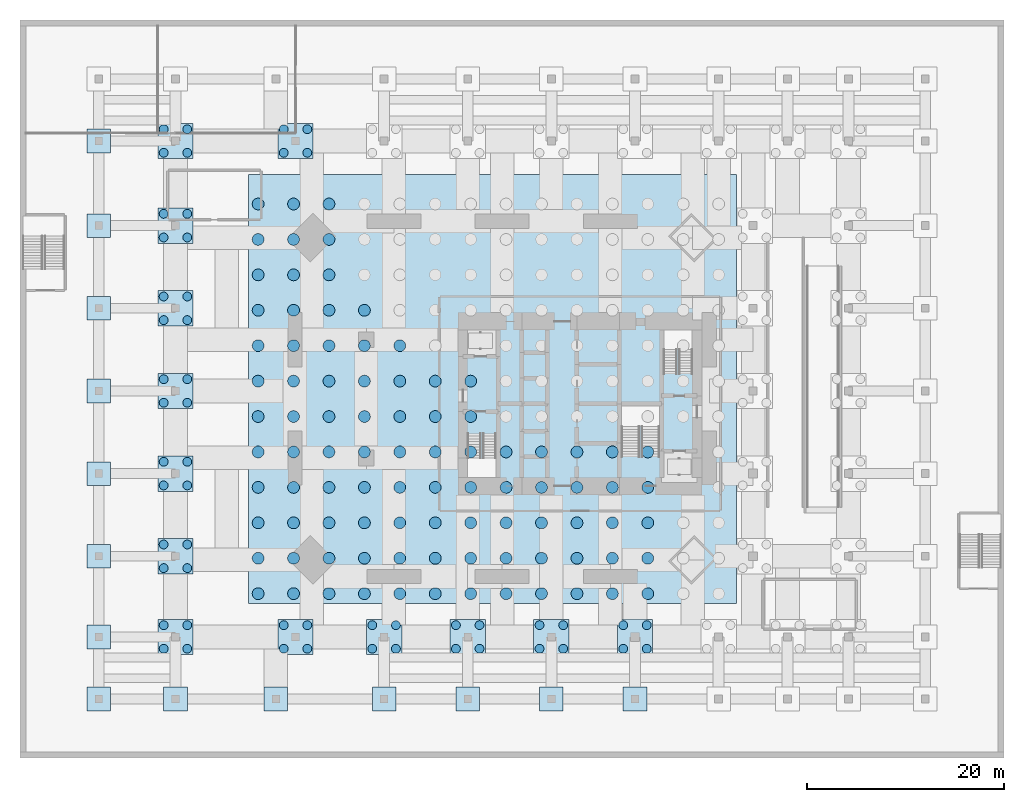
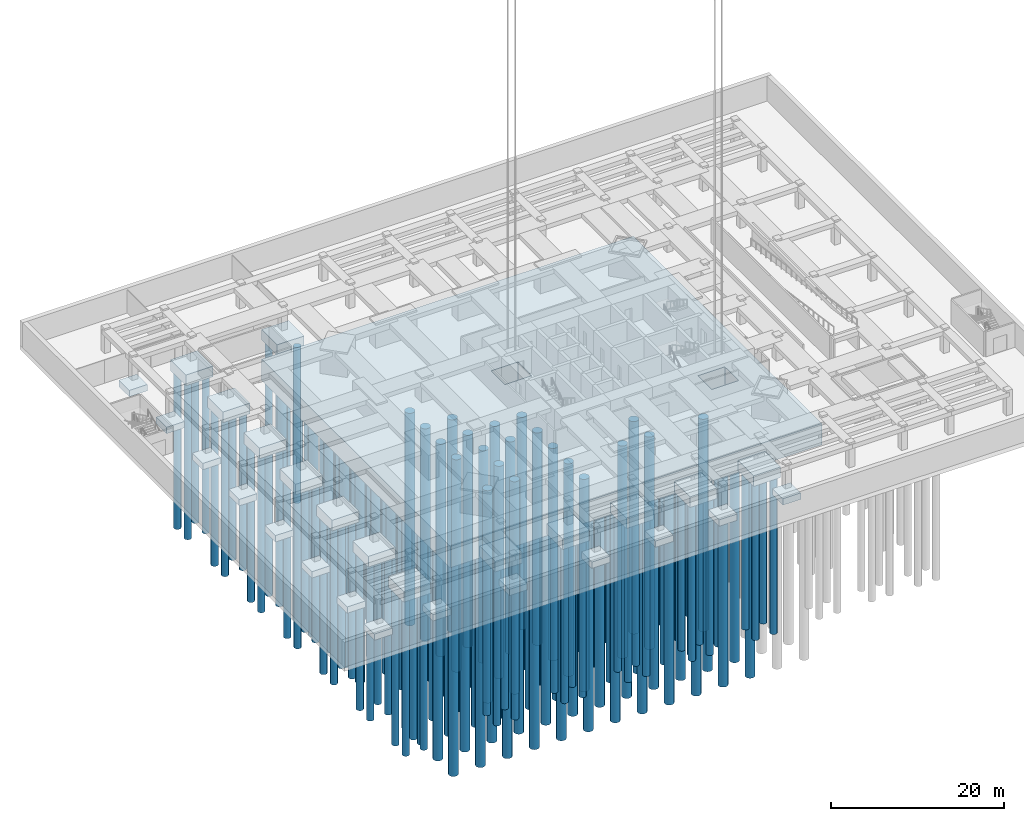
# One storey, part 1 of 15: 144 piles, 28 footings.
"""IFC4 building model written with IfcOpenShell, lengths in metres."""

from ifc_helpers import new_model, si_unit, direction, frame, origin, origin_2d, place, context, subcontext, project, spatial, polyline, circle, outline, extrude, material, layer, layer_set, material_profile, profile_set, type_object, element, save


model = new_model("IFC4")

# Units and contexts
model_context = context("Model", 3, precision=1e-05, world=origin(), true_north=direction((0.0, 1.0)))
body_context = subcontext(model_context, "Body", "Model", "MODEL_VIEW")
ifc_project = project(units=[si_unit("LENGTHUNIT", "METRE"), si_unit("AREAUNIT", "SQUARE_METRE"), si_unit("VOLUMEUNIT", "CUBIC_METRE"), si_unit("PLANEANGLEUNIT", "RADIAN"), si_unit("MASSUNIT", "GRAM", prefix="KILO")], contexts=[model_context])

# Site, building, storey
site_placement = place(None, origin())
site = spatial("IfcSite", under=ifc_project, at=site_placement, CompositionType="ELEMENT")
building_placement = place(site_placement, origin())
building = spatial("IfcBuilding", under=site, at=building_placement, Name="Jalousie Tower", CompositionType="ELEMENT")
storey_placement = place(building_placement, frame((0.0, 0.0, -7.5)))
storey = spatial("IfcBuildingStorey", under=building, at=storey_placement, Name="B2", CompositionType="ELEMENT", Elevation=-7.5)

# Piles
ifc_material_1 = material(Name="Concrete f'c 40 MPa", Category="concrete")
ifc_material_profile_1 = material_profile(ifc_material_1, circle(Radius=0.60009765625, at=origin_2d()), Name="BORED PILE D1200")
ifc_profile_set_1 = profile_set([ifc_material_profile_1], Name="Concrete f'c 40 MPa")
pile_type_1 = type_object("IfcPileType", Name="BORED PILE 1200", PredefinedType="BORED", material=ifc_profile_set_1)
for number, where, z_axis, x_axis, name in (
    (1, (-0.800048828125, -0.800048828125, -3.60009765625), (0.0, 0.0, -1.0), (1.0, 0.0, 0.0), "Raft pile R01-01"),
    (2, (2.800048828125, -0.800048828125, -3.60009765625), (0.0, 0.0, -1.0), (1.0, 0.0, 0.0), "Raft pile R01-02"),
    (3, (6.39990234375, -0.800048828125, -3.60009765625), (0.0, 0.0, -1.0), (1.0, 0.0, 0.0), "Raft pile R01-03"),
    (4, (10.0, -0.800048828125, -3.60009765625), (0.0, 0.0, -1.0), (1.0, 0.0, 0.0), "Raft pile R01-04"),
    (5, (13.60009765625, -0.800048828125, -3.60009765625), (0.0, 0.0, -1.0), (1.0, 0.0, 0.0), "Raft pile R01-05"),
    (6, (17.199951171875, -0.800048828125, -3.60009765625), (0.0, 0.0, -1.0), (1.0, 0.0, 0.0), "Raft pile R01-06"),
    (7, (20.800048828125, -0.800048828125, -3.60009765625), (0.0, 0.0, -1.0), (1.0, 0.0, 0.0), "Raft pile R01-07"),
    (8, (24.39990234375, -0.800048828125, -3.60009765625), (0.0, 0.0, -1.0), (1.0, 0.0, 0.0), "Raft pile R01-08"),
    (9, (28.0, -0.800048828125, -3.60009765625), (0.0, 0.0, -1.0), (1.0, 0.0, 0.0), "Raft pile R01-09"),
    (10, (31.60009765625, -0.800048828125, -3.60009765625), (0.0, 0.0, -1.0), (1.0, 0.0, 0.0), "Raft pile R01-10"),
    (11, (35.199951171875, -0.800048828125, -3.60009765625), (0.0, 0.0, -1.0), (1.0, 0.0, 0.0), "Raft pile R01-11"),
    (12, (38.800048828125, -0.800048828125, -3.60009765625), (0.0, 0.0, -1.0), (1.0, 0.0, 0.0), "Raft pile R01-12"),
    (13, (-0.800048828125, 2.800048828125, -3.60009765625), (0.0, 0.0, -1.0), (1.0, 0.0, 0.0), "Raft pile R02-01"),
    (14, (2.800048828125, 2.800048828125, -3.60009765625), (0.0, 0.0, -1.0), (1.0, 0.0, 0.0), "Raft pile R02-02"),
    (15, (6.39990234375, 2.800048828125, -3.60009765625), (0.0, 0.0, -1.0), (1.0, 0.0, 0.0), "Raft pile R02-03"),
    (16, (10.0, 2.800048828125, -3.60009765625), (0.0, 0.0, -1.0), (1.0, 0.0, 0.0), "Raft pile R02-04"),
    (17, (13.60009765625, 2.800048828125, -3.60009765625), (0.0, 0.0, -1.0), (1.0, 0.0, 0.0), "Raft pile R02-05"),
    (18, (17.199951171875, 2.800048828125, -3.60009765625), (0.0, 0.0, -1.0), (1.0, 0.0, 0.0), "Raft pile R02-06"),
    (19, (20.800048828125, 2.800048828125, -3.60009765625), (0.0, 0.0, -1.0), (1.0, 0.0, 0.0), "Raft pile R02-07"),
    (20, (24.39990234375, 2.800048828125, -3.60009765625), (0.0, 0.0, -1.0), (1.0, 0.0, 0.0), "Raft pile R02-08"),
    (21, (28.0, 2.800048828125, -3.60009765625), (0.0, 0.0, -1.0), (1.0, 0.0, 0.0), "Raft pile R02-09"),
    (22, (31.60009765625, 2.800048828125, -3.60009765625), (0.0, 0.0, -1.0), (1.0, 0.0, 0.0), "Raft pile R02-10"),
    (23, (35.199951171875, 2.800048828125, -3.60009765625), (0.0, 0.0, -1.0), (1.0, 0.0, 0.0), "Raft pile R02-11"),
    (24, (38.800048828125, 2.800048828125, -3.60009765625), (0.0, 0.0, -1.0), (1.0, 0.0, 0.0), "Raft pile R02-12"),
    (25, (-0.800048828125, 6.39990234375, -3.60009765625), (0.0, 0.0, -1.0), (1.0, 0.0, 0.0), "Raft pile R03-01"),
    (26, (2.800048828125, 6.39990234375, -3.60009765625), (0.0, 0.0, -1.0), (1.0, 0.0, 0.0), "Raft pile R03-02"),
    (27, (6.39990234375, 6.39990234375, -3.60009765625), (0.0, 0.0, -1.0), (1.0, 0.0, 0.0), "Raft pile R03-03"),
    (28, (10.0, 6.39990234375, -3.60009765625), (0.0, 0.0, -1.0), (1.0, 0.0, 0.0), "Raft pile R03-04"),
    (29, (13.60009765625, 6.39990234375, -3.60009765625), (0.0, 0.0, -1.0), (1.0, 0.0, 0.0), "Raft pile R03-05"),
    (30, (17.199951171875, 6.39990234375, -3.60009765625), (0.0, 0.0, -1.0), (1.0, 0.0, 0.0), "Raft pile R03-06"),
    (31, (20.800048828125, 6.39990234375, -3.60009765625), (0.0, 0.0, -1.0), (1.0, 0.0, 0.0), "Raft pile R03-07"),
    (32, (24.39990234375, 6.39990234375, -3.60009765625), (0.0, 0.0, -1.0), (1.0, 0.0, 0.0), "Raft pile R03-08"),
    (33, (28.0, 6.39990234375, -3.60009765625), (0.0, 0.0, -1.0), (1.0, 0.0, 0.0), "Raft pile R03-09"),
    (34, (31.60009765625, 6.39990234375, -3.60009765625), (0.0, 0.0, -1.0), (1.0, 0.0, 0.0), "Raft pile R03-10"),
    (35, (35.199951171875, 6.39990234375, -3.60009765625), (0.0, 0.0, -1.0), (1.0, 0.0, 0.0), "Raft pile R03-11"),
    (36, (38.800048828125, 6.39990234375, -3.60009765625), (0.0, 0.0, -1.0), (1.0, 0.0, 0.0), "Raft pile R03-12"),
    (37, (-0.800048828125, 10.0, -3.60009765625), (0.0, 0.0, -1.0), (1.0, 0.0, 0.0), "Raft pile R04-01"),
    (38, (2.800048828125, 10.0, -3.60009765625), (0.0, 0.0, -1.0), (1.0, 0.0, 0.0), "Raft pile R04-02"),
    (39, (6.39990234375, 10.0, -3.60009765625), (0.0, 0.0, -1.0), (1.0, 0.0, 0.0), "Raft pile R04-03"),
    (40, (10.0, 10.0, -3.60009765625), (0.0, 0.0, -1.0), (1.0, 0.0, 0.0), "Raft pile R04-04"),
    (41, (13.60009765625, 10.0, -3.60009765625), (0.0, 0.0, -1.0), (1.0, 0.0, 0.0), "Raft pile R04-05"),
    (42, (17.199951171875, 10.0, -3.60009765625), (0.0, 0.0, -1.0), (1.0, 0.0, 0.0), "Raft pile R04-06"),
    (43, (20.800048828125, 10.0, -3.60009765625), (0.0, 0.0, -1.0), (1.0, 0.0, 0.0), "Raft pile R04-07"),
    (44, (24.39990234375, 10.0, -3.60009765625), (0.0, 0.0, -1.0), (1.0, 0.0, 0.0), "Raft pile R04-08"),
    (45, (28.0, 10.0, -3.60009765625), (0.0, 0.0, -1.0), (1.0, 0.0, 0.0), "Raft pile R04-09"),
    (46, (31.60009765625, 10.0, -3.60009765625), (0.0, 0.0, -1.0), (1.0, 0.0, 0.0), "Raft pile R04-10"),
    (47, (35.199951171875, 10.0, -3.60009765625), (0.0, 0.0, -1.0), (1.0, 0.0, 0.0), "Raft pile R04-11"),
    (48, (38.800048828125, 10.0, -3.60009765625), (0.0, 0.0, -1.0), (1.0, 0.0, 0.0), "Raft pile R04-12"),
    (49, (-0.800048828125, 13.60009765625, -3.60009765625), (0.0, 0.0, -1.0), (1.0, 0.0, 0.0), "Raft pile R05-01"),
    (50, (2.800048828125, 13.60009765625, -3.60009765625), (0.0, 0.0, -1.0), (1.0, 0.0, 0.0), "Raft pile R05-02"),
    (51, (6.39990234375, 13.60009765625, -3.60009765625), (0.0, 0.0, -1.0), (1.0, 0.0, 0.0), "Raft pile R05-03"),
    (52, (10.0, 13.60009765625, -3.60009765625), (0.0, 0.0, -1.0), (1.0, 0.0, 0.0), "Raft pile R05-04"),
    (53, (13.60009765625, 13.60009765625, -3.60009765625), (0.0, 0.0, -1.0), (1.0, 0.0, 0.0), "Raft pile R05-05"),
    (54, (17.199951171875, 13.60009765625, -3.60009765625), (0.0, 0.0, -1.0), (1.0, 0.0, 0.0), "Raft pile R05-06"),
    (55, (20.800048828125, 13.60009765625, -3.60009765625), (0.0, 0.0, -1.0), (1.0, 0.0, 0.0), "Raft pile R05-07"),
    (56, (24.39990234375, 13.60009765625, -3.60009765625), (0.0, 0.0, -1.0), (1.0, 0.0, 0.0), "Raft pile R05-08"),
    (57, (28.0, 13.60009765625, -3.60009765625), (0.0, 0.0, -1.0), (1.0, 0.0, 0.0), "Raft pile R05-09"),
    (58, (31.60009765625, 13.60009765625, -3.60009765625), (0.0, 0.0, -1.0), (1.0, 0.0, 0.0), "Raft pile R05-10"),
    (59, (35.199951171875, 13.60009765625, -3.60009765625), (0.0, 0.0, -1.0), (1.0, 0.0, 0.0), "Raft pile R05-11"),
    (60, (38.800048828125, 13.60009765625, -3.60009765625), (0.0, 0.0, -1.0), (1.0, 0.0, 0.0), "Raft pile R05-12"),
    (61, (-0.800048828125, 17.199951171875, -3.60009765625), (0.0, 0.0, -1.0), (1.0, 0.0, 0.0), "Raft pile R06-01"),
    (62, (2.800048828125, 17.199951171875, -3.60009765625), (0.0, 0.0, -1.0), (1.0, 0.0, 0.0), "Raft pile R06-02"),
    (63, (6.39990234375, 17.199951171875, -3.60009765625), (0.0, 0.0, -1.0), (1.0, 0.0, 0.0), "Raft pile R06-03"),
    (64, (10.0, 17.199951171875, -3.60009765625), (0.0, 0.0, -1.0), (1.0, 0.0, 0.0), "Raft pile R06-04"),
    (65, (13.60009765625, 17.199951171875, -3.60009765625), (0.0, 0.0, -1.0), (1.0, 0.0, 0.0), "Raft pile R06-05"),
    (66, (17.199951171875, 17.199951171875, -3.60009765625), (0.0, 0.0, -1.0), (1.0, 0.0, 0.0), "Raft pile R06-06"),
    (67, (20.800048828125, 17.199951171875, -3.60009765625), (0.0, 0.0, -1.0), (1.0, 0.0, 0.0), "Raft pile R06-07"),
    (68, (-0.800048828125, 20.800048828125, -3.60009765625), (0.0, 0.0, -1.0), (1.0, 0.0, 0.0), "Raft pile R07-01"),
    (69, (2.800048828125, 20.800048828125, -3.60009765625), (0.0, 0.0, -1.0), (1.0, 0.0, 0.0), "Raft pile R07-02"),
    (70, (6.39990234375, 20.800048828125, -3.60009765625), (0.0, 0.0, -1.0), (1.0, 0.0, 0.0), "Raft pile R07-03"),
    (71, (10.0, 20.800048828125, -3.60009765625), (0.0, 0.0, -1.0), (1.0, 0.0, 0.0), "Raft pile R07-04"),
    (72, (13.60009765625, 20.800048828125, -3.60009765625), (0.0, 0.0, -1.0), (1.0, 0.0, 0.0), "Raft pile R07-05"),
    (73, (17.199951171875, 20.800048828125, -3.60009765625), (0.0, 0.0, -1.0), (1.0, 0.0, 0.0), "Raft pile R07-06"),
    (74, (20.800048828125, 20.800048828125, -3.60009765625), (0.0, 0.0, -1.0), (1.0, 0.0, 0.0), "Raft pile R07-07"),
    (75, (-0.800048828125, 24.39990234375, -3.60009765625), (0.0, 0.0, -1.0), (1.0, 0.0, 0.0), "Raft pile R08-01"),
    (76, (2.800048828125, 24.39990234375, -3.60009765625), (0.0, 0.0, -1.0), (1.0, 0.0, 0.0), "Raft pile R08-02"),
    (77, (6.39990234375, 24.39990234375, -3.60009765625), (0.0, 0.0, -1.0), (1.0, 0.0, 0.0), "Raft pile R08-03"),
    (78, (10.0, 24.39990234375, -3.60009765625), (0.0, 0.0, -1.0), (1.0, 0.0, 0.0), "Raft pile R08-04"),
    (79, (13.60009765625, 24.39990234375, -3.60009765625), (0.0, 0.0, -1.0), (1.0, 0.0, 0.0), "Raft pile R08-05"),
    (80, (-0.800048828125, 28.0, -3.60009765625), (0.0, 0.0, -1.0), (1.0, 0.0, 0.0), "Raft pile R09-01"),
    (81, (2.800048828125, 28.0, -3.60009765625), (0.0, 0.0, -1.0), (1.0, 0.0, 0.0), "Raft pile R09-02"),
    (82, (6.39990234375, 28.0, -3.60009765625), (0.0, 0.0, -1.0), (1.0, 0.0, 0.0), "Raft pile R09-03"),
    (83, (10.0, 28.0, -3.60009765625), (0.0, 0.0, -1.0), (1.0, 0.0, 0.0), "Raft pile R09-04"),
    (84, (-0.800048828125, 31.60009765625, -3.60009765625), (0.0, 0.0, -1.0), (1.0, 0.0, 0.0), "Raft pile R10-01"),
    (85, (2.800048828125, 31.60009765625, -3.60009765625), (0.0, 0.0, -1.0), (1.0, 0.0, 0.0), "Raft pile R10-02"),
    (86, (6.39990234375, 31.60009765625, -3.60009765625), (0.0, 0.0, -1.0), (1.0, 0.0, 0.0), "Raft pile R10-03"),
    (87, (-0.800048828125, 35.199951171875, -3.60009765625), (0.0, 0.0, -1.0), (1.0, 0.0, 0.0), "Raft pile R11-01"),
    (88, (2.800048828125, 35.199951171875, -3.60009765625), (0.0, 0.0, -1.0), (1.0, 0.0, 0.0), "Raft pile R11-02"),
    (89, (6.39990234375, 35.199951171875, -3.60009765625), (0.0, 0.0, -1.0), (1.0, 0.0, 0.0), "Raft pile R11-03"),
    (90, (-0.800048828125, 38.800048828125, -3.60009765625), (0.0, 0.0, -1.0), (1.0, 0.0, 0.0), "Raft pile R12-01"),
    (91, (2.800048828125, 38.800048828125, -3.60009765625), (0.0, 0.0, -1.0), (1.0, 0.0, 0.0), "Raft pile R12-02"),
    (92, (6.39990234375, 38.800048828125, -3.60009765625), (0.0, 0.0, -1.0), (1.0, 0.0, 0.0), "Raft pile R12-03"),
):
    element("IfcPile", number, at=place(storey_placement, frame(where, z_axis=z_axis, x_axis=x_axis)), inside=storey, type_object=pile_type_1, Name=name, PredefinedType="BORED", context=body_context, shape_type="SweptSolid", body=[
        extrude(circle(Radius=0.60009765625, at=origin_2d()), origin(), (0.0, 0.0, 1.0), 30.0),
    ])
ifc_material_2 = material(Name="Concrete f'c 40 MPa", Category="concrete")
ifc_material_profile_2 = material_profile(ifc_material_2, circle(Radius=0.449951171875, at=origin_2d()), Name="BORED PILE D900")
ifc_profile_set_2 = profile_set([ifc_material_profile_2], Name="Concrete f'c 40 MPa")
pile_type_2 = type_object("IfcPileType", Name="BORED PILE 900", PredefinedType="BORED", material=ifc_profile_set_2)
for number, where, z_axis, x_axis, name in (
    (93, (-10.39990234375, -6.39990234375, -2.10009765625), (0.0, 0.0, -1.0), (1.0, 0.0, 0.0), "Pile PC4-01/1"),
    (94, (-8.0, -6.39990234375, -2.10009765625), (0.0, 0.0, -1.0), (1.0, 0.0, 0.0), "Pile PC4-01/2"),
    (95, (-8.0, -4.0, -2.10009765625), (0.0, 0.0, -1.0), (1.0, 0.0, 0.0), "Pile PC4-01/3"),
    (96, (-10.39990234375, -4.0, -2.10009765625), (0.0, 0.0, -1.0), (1.0, 0.0, 0.0), "Pile PC4-01/4"),
    (97, (1.800048828125, -6.39990234375, -2.10009765625), (0.0, 0.0, -1.0), (1.0, 0.0, 0.0), "Pile PC4-02/1"),
    (98, (4.199951171875, -6.39990234375, -2.10009765625), (0.0, 0.0, -1.0), (1.0, 0.0, 0.0), "Pile PC4-02/2"),
    (99, (4.199951171875, -4.0, -2.10009765625), (0.0, 0.0, -1.0), (1.0, 0.0, 0.0), "Pile PC4-02/3"),
    (100, (1.800048828125, -4.0, -2.10009765625), (0.0, 0.0, -1.0), (1.0, 0.0, 0.0), "Pile PC4-02/4"),
    (101, (10.800048828125, -6.39990234375, -2.10009765625), (0.0, 0.0, -1.0), (1.0, 0.0, 0.0), "Pile PC4-03/1"),
    (102, (13.199951171875, -6.39990234375, -2.10009765625), (0.0, 0.0, -1.0), (1.0, 0.0, 0.0), "Pile PC4-03/2"),
    (103, (13.199951171875, -4.0, -2.10009765625), (0.0, 0.0, -1.0), (1.0, 0.0, 0.0), "Pile PC4-03/3"),
    (104, (10.800048828125, -4.0, -2.10009765625), (0.0, 0.0, -1.0), (1.0, 0.0, 0.0), "Pile PC4-03/4"),
    (105, (19.300048828125, -6.39990234375, -2.10009765625), (0.0, 0.0, -1.0), (1.0, 0.0, 0.0), "Pile PC4-04/1"),
    (106, (21.699951171875, -6.39990234375, -2.10009765625), (0.0, 0.0, -1.0), (1.0, 0.0, 0.0), "Pile PC4-04/2"),
    (107, (21.699951171875, -4.0, -2.10009765625), (0.0, 0.0, -1.0), (1.0, 0.0, 0.0), "Pile PC4-04/3"),
    (108, (19.300048828125, -4.0, -2.10009765625), (0.0, 0.0, -1.0), (1.0, 0.0, 0.0), "Pile PC4-04/4"),
    (109, (27.800048828125, -6.39990234375, -2.10009765625), (0.0, 0.0, -1.0), (1.0, 0.0, 0.0), "Pile PC4-05/1"),
    (110, (30.199951171875, -6.39990234375, -2.10009765625), (0.0, 0.0, -1.0), (1.0, 0.0, 0.0), "Pile PC4-05/2"),
    (111, (30.199951171875, -4.0, -2.10009765625), (0.0, 0.0, -1.0), (1.0, 0.0, 0.0), "Pile PC4-05/3"),
    (112, (27.800048828125, -4.0, -2.10009765625), (0.0, 0.0, -1.0), (1.0, 0.0, 0.0), "Pile PC4-05/4"),
    (113, (36.300048828125, -6.39990234375, -2.10009765625), (0.0, 0.0, -1.0), (1.0, 0.0, 0.0), "Pile PC4-06/1"),
    (114, (38.699951171875, -6.39990234375, -2.10009765625), (0.0, 0.0, -1.0), (1.0, 0.0, 0.0), "Pile PC4-06/2"),
    (115, (38.699951171875, -4.0, -2.10009765625), (0.0, 0.0, -1.0), (1.0, 0.0, 0.0), "Pile PC4-06/3"),
    (116, (36.300048828125, -4.0, -2.10009765625), (0.0, 0.0, -1.0), (1.0, 0.0, 0.0), "Pile PC4-06/4"),
    (117, (-10.39990234375, 1.800048828125, -2.10009765625), (0.0, 0.0, -1.0), (1.0, 0.0, 0.0), "Pile PC4-10/1"),
    (118, (-8.0, 1.800048828125, -2.10009765625), (0.0, 0.0, -1.0), (1.0, 0.0, 0.0), "Pile PC4-10/2"),
    (119, (-8.0, 4.199951171875, -2.10009765625), (0.0, 0.0, -1.0), (1.0, 0.0, 0.0), "Pile PC4-10/3"),
    (120, (-10.39990234375, 4.199951171875, -2.10009765625), (0.0, 0.0, -1.0), (1.0, 0.0, 0.0), "Pile PC4-10/4"),
    (121, (-10.39990234375, 10.199951171875, -2.10009765625), (0.0, 0.0, -1.0), (1.0, 0.0, 0.0), "Pile PC4-13/1"),
    (122, (-8.0, 10.199951171875, -2.10009765625), (0.0, 0.0, -1.0), (1.0, 0.0, 0.0), "Pile PC4-13/2"),
    (123, (-8.0, 12.60009765625, -2.10009765625), (0.0, 0.0, -1.0), (1.0, 0.0, 0.0), "Pile PC4-13/3"),
    (124, (-10.39990234375, 12.60009765625, -2.10009765625), (0.0, 0.0, -1.0), (1.0, 0.0, 0.0), "Pile PC4-13/4"),
    (125, (-10.39990234375, 18.60009765625, -2.10009765625), (0.0, 0.0, -1.0), (1.0, 0.0, 0.0), "Pile PC4-16/1"),
    (126, (-8.0, 18.60009765625, -2.10009765625), (0.0, 0.0, -1.0), (1.0, 0.0, 0.0), "Pile PC4-16/2"),
    (127, (-8.0, 21.0, -2.10009765625), (0.0, 0.0, -1.0), (1.0, 0.0, 0.0), "Pile PC4-16/3"),
    (128, (-10.39990234375, 21.0, -2.10009765625), (0.0, 0.0, -1.0), (1.0, 0.0, 0.0), "Pile PC4-16/4"),
    (129, (-10.39990234375, 27.0, -2.10009765625), (0.0, 0.0, -1.0), (1.0, 0.0, 0.0), "Pile PC4-19/1"),
    (130, (-8.0, 27.0, -2.10009765625), (0.0, 0.0, -1.0), (1.0, 0.0, 0.0), "Pile PC4-19/2"),
    (131, (-8.0, 29.39990234375, -2.10009765625), (0.0, 0.0, -1.0), (1.0, 0.0, 0.0), "Pile PC4-19/3"),
    (132, (-10.39990234375, 29.39990234375, -2.10009765625), (0.0, 0.0, -1.0), (1.0, 0.0, 0.0), "Pile PC4-19/4"),
    (133, (-10.39990234375, 35.39990234375, -2.10009765625), (0.0, 0.0, -1.0), (1.0, 0.0, 0.0), "Pile PC4-22/1"),
    (134, (-8.0, 35.39990234375, -2.10009765625), (0.0, 0.0, -1.0), (1.0, 0.0, 0.0), "Pile PC4-22/2"),
    (135, (-8.0, 37.800048828125, -2.10009765625), (0.0, 0.0, -1.0), (1.0, 0.0, 0.0), "Pile PC4-22/3"),
    (136, (-10.39990234375, 37.800048828125, -2.10009765625), (0.0, 0.0, -1.0), (1.0, 0.0, 0.0), "Pile PC4-22/4"),
    (137, (-10.39990234375, 44.0, -2.10009765625), (0.0, 0.0, -1.0), (1.0, 0.0, 0.0), "Pile PC4-25/1"),
    (138, (-8.0, 44.0, -2.10009765625), (0.0, 0.0, -1.0), (1.0, 0.0, 0.0), "Pile PC4-25/2"),
    (139, (-8.0, 46.39990234375, -2.10009765625), (0.0, 0.0, -1.0), (1.0, 0.0, 0.0), "Pile PC4-25/3"),
    (140, (-10.39990234375, 46.39990234375, -2.10009765625), (0.0, 0.0, -1.0), (1.0, 0.0, 0.0), "Pile PC4-25/4"),
    (141, (1.800048828125, 44.0, -2.10009765625), (0.0, 0.0, -1.0), (1.0, 0.0, 0.0), "Pile PC4-26/1"),
    (142, (4.199951171875, 44.0, -2.10009765625), (0.0, 0.0, -1.0), (1.0, 0.0, 0.0), "Pile PC4-26/2"),
    (143, (4.199951171875, 46.39990234375, -2.10009765625), (0.0, 0.0, -1.0), (1.0, 0.0, 0.0), "Pile PC4-26/3"),
    (144, (1.800048828125, 46.39990234375, -2.10009765625), (0.0, 0.0, -1.0), (1.0, 0.0, 0.0), "Pile PC4-26/4"),
):
    element("IfcPile", number, at=place(storey_placement, frame(where, z_axis=z_axis, x_axis=x_axis)), inside=storey, type_object=pile_type_2, Name=name, PredefinedType="BORED", context=body_context, shape_type="SweptSolid", body=[
        extrude(circle(Radius=0.449951171875, at=origin_2d()), origin(), (0.0, 0.0, 1.0), 22.0),
    ])

# Footings
ifc_material_3 = material(Name="Concrete f'c 40 MPa", Category="concrete")
ifc_layer_1 = layer(ifc_material_3, 0.89990234375)
ifc_layer_set_1 = layer_set([ifc_layer_1], Name="Concrete f'c 40 MPa")
footing_type_1 = type_object("IfcFootingType", Name="PAD FOOTING 2400", PredefinedType="PAD_FOOTING", material=ifc_layer_set_1)
footing_1_placement = place(storey_placement, frame((0.0, 0.0, -1.5)))
element("IfcFooting", 145, at=footing_1_placement, inside=storey, type_object=footing_type_1, Name="Pad footing PF-01", PredefinedType="PAD_FOOTING", context=body_context, shape_type="SweptSolid", body=[
    extrude(outline(polyline([(-18.199951171875, -12.699951171875), (-15.800048828125, -12.699951171875), (-15.800048828125, -10.300048828125), (-18.199951171875, -10.300048828125), (-18.199951171875, -12.699951171875)])), origin(), (0.0, 0.0, 1.0), 0.89990234375),
])
footing_2_placement = place(storey_placement, frame((0.0, 0.0, -1.5)))
element("IfcFooting", 146, at=footing_2_placement, inside=storey, type_object=footing_type_1, Name="Pad footing PF-02", PredefinedType="PAD_FOOTING", context=body_context, shape_type="SweptSolid", body=[
    extrude(outline(polyline([(-18.199951171875, -6.39990234375), (-15.800048828125, -6.39990234375), (-15.800048828125, -4.0), (-18.199951171875, -4.0), (-18.199951171875, -6.39990234375)])), origin(), (0.0, 0.0, 1.0), 0.89990234375),
])
footing_3_placement = place(storey_placement, frame((0.0, 0.0, -1.5)))
element("IfcFooting", 147, at=footing_3_placement, inside=storey, type_object=footing_type_1, Name="Pad footing PF-03", PredefinedType="PAD_FOOTING", context=body_context, shape_type="SweptSolid", body=[
    extrude(outline(polyline([(-18.199951171875, 1.800048828125), (-15.800048828125, 1.800048828125), (-15.800048828125, 4.199951171875), (-18.199951171875, 4.199951171875), (-18.199951171875, 1.800048828125)])), origin(), (0.0, 0.0, 1.0), 0.89990234375),
])
footing_4_placement = place(storey_placement, frame((0.0, 0.0, -1.5)))
element("IfcFooting", 148, at=footing_4_placement, inside=storey, type_object=footing_type_1, Name="Pad footing PF-04", PredefinedType="PAD_FOOTING", context=body_context, shape_type="SweptSolid", body=[
    extrude(outline(polyline([(-18.199951171875, 10.199951171875), (-15.800048828125, 10.199951171875), (-15.800048828125, 12.60009765625), (-18.199951171875, 12.60009765625), (-18.199951171875, 10.199951171875)])), origin(), (0.0, 0.0, 1.0), 0.89990234375),
])
footing_5_placement = place(storey_placement, frame((0.0, 0.0, -1.5)))
element("IfcFooting", 149, at=footing_5_placement, inside=storey, type_object=footing_type_1, Name="Pad footing PF-05", PredefinedType="PAD_FOOTING", context=body_context, shape_type="SweptSolid", body=[
    extrude(outline(polyline([(-18.199951171875, 18.60009765625), (-15.800048828125, 18.60009765625), (-15.800048828125, 21.0), (-18.199951171875, 21.0), (-18.199951171875, 18.60009765625)])), origin(), (0.0, 0.0, 1.0), 0.89990234375),
])
footing_6_placement = place(storey_placement, frame((0.0, 0.0, -1.5)))
element("IfcFooting", 150, at=footing_6_placement, inside=storey, type_object=footing_type_1, Name="Pad footing PF-06", PredefinedType="PAD_FOOTING", context=body_context, shape_type="SweptSolid", body=[
    extrude(outline(polyline([(-18.199951171875, 27.0), (-15.800048828125, 27.0), (-15.800048828125, 29.39990234375), (-18.199951171875, 29.39990234375), (-18.199951171875, 27.0)])), origin(), (0.0, 0.0, 1.0), 0.89990234375),
])
footing_7_placement = place(storey_placement, frame((0.0, 0.0, -1.5)))
element("IfcFooting", 151, at=footing_7_placement, inside=storey, type_object=footing_type_1, Name="Pad footing PF-07", PredefinedType="PAD_FOOTING", context=body_context, shape_type="SweptSolid", body=[
    extrude(outline(polyline([(-18.199951171875, 35.39990234375), (-15.800048828125, 35.39990234375), (-15.800048828125, 37.800048828125), (-18.199951171875, 37.800048828125), (-18.199951171875, 35.39990234375)])), origin(), (0.0, 0.0, 1.0), 0.89990234375),
])
footing_8_placement = place(storey_placement, frame((0.0, 0.0, -1.5)))
element("IfcFooting", 152, at=footing_8_placement, inside=storey, type_object=footing_type_1, Name="Pad footing PF-08", PredefinedType="PAD_FOOTING", context=body_context, shape_type="SweptSolid", body=[
    extrude(outline(polyline([(-18.199951171875, 44.0), (-15.800048828125, 44.0), (-15.800048828125, 46.39990234375), (-18.199951171875, 46.39990234375), (-18.199951171875, 44.0)])), origin(), (0.0, 0.0, 1.0), 0.89990234375),
])
footing_9_placement = place(storey_placement, frame((0.0, 0.0, -1.5)))
element("IfcFooting", 153, at=footing_9_placement, inside=storey, type_object=footing_type_1, Name="Pad footing PF-10", PredefinedType="PAD_FOOTING", context=body_context, shape_type="SweptSolid", body=[
    extrude(outline(polyline([(-10.39990234375, -12.699951171875), (-8.0, -12.699951171875), (-8.0, -10.300048828125), (-10.39990234375, -10.300048828125), (-10.39990234375, -12.699951171875)])), origin(), (0.0, 0.0, 1.0), 0.89990234375),
])
footing_10_placement = place(storey_placement, frame((0.0, 0.0, -1.5)))
element("IfcFooting", 154, at=footing_10_placement, inside=storey, type_object=footing_type_1, Name="Pad footing PF-12", PredefinedType="PAD_FOOTING", context=body_context, shape_type="SweptSolid", body=[
    extrude(outline(polyline([(-0.199951171875, -12.699951171875), (2.199951171875, -12.699951171875), (2.199951171875, -10.300048828125), (-0.199951171875, -10.300048828125), (-0.199951171875, -12.699951171875)])), origin(), (0.0, 0.0, 1.0), 0.89990234375),
])
footing_11_placement = place(storey_placement, frame((0.0, 0.0, -1.5)))
element("IfcFooting", 155, at=footing_11_placement, inside=storey, type_object=footing_type_1, Name="Pad footing PF-14", PredefinedType="PAD_FOOTING", context=body_context, shape_type="SweptSolid", body=[
    extrude(outline(polyline([(10.800048828125, -12.699951171875), (13.199951171875, -12.699951171875), (13.199951171875, -10.300048828125), (10.800048828125, -10.300048828125), (10.800048828125, -12.699951171875)])), origin(), (0.0, 0.0, 1.0), 0.89990234375),
])
footing_12_placement = place(storey_placement, frame((0.0, 0.0, -1.5)))
element("IfcFooting", 156, at=footing_12_placement, inside=storey, type_object=footing_type_1, Name="Pad footing PF-16", PredefinedType="PAD_FOOTING", context=body_context, shape_type="SweptSolid", body=[
    extrude(outline(polyline([(19.300048828125, -12.699951171875), (21.699951171875, -12.699951171875), (21.699951171875, -10.300048828125), (19.300048828125, -10.300048828125), (19.300048828125, -12.699951171875)])), origin(), (0.0, 0.0, 1.0), 0.89990234375),
])
footing_13_placement = place(storey_placement, frame((0.0, 0.0, -1.5)))
element("IfcFooting", 157, at=footing_13_placement, inside=storey, type_object=footing_type_1, Name="Pad footing PF-18", PredefinedType="PAD_FOOTING", context=body_context, shape_type="SweptSolid", body=[
    extrude(outline(polyline([(27.800048828125, -12.699951171875), (30.199951171875, -12.699951171875), (30.199951171875, -10.300048828125), (27.800048828125, -10.300048828125), (27.800048828125, -12.699951171875)])), origin(), (0.0, 0.0, 1.0), 0.89990234375),
])
footing_14_placement = place(storey_placement, frame((0.0, 0.0, -1.5)))
element("IfcFooting", 158, at=footing_14_placement, inside=storey, type_object=footing_type_1, Name="Pad footing PF-20", PredefinedType="PAD_FOOTING", context=body_context, shape_type="SweptSolid", body=[
    extrude(outline(polyline([(36.300048828125, -12.699951171875), (38.699951171875, -12.699951171875), (38.699951171875, -10.300048828125), (36.300048828125, -10.300048828125), (36.300048828125, -12.699951171875)])), origin(), (0.0, 0.0, 1.0), 0.89990234375),
])
ifc_material_4 = material(Name="Concrete f'c 40 MPa", Category="concrete")
ifc_layer_2 = layer(ifc_material_4, 1.5)
ifc_layer_set_2 = layer_set([ifc_layer_2], Name="Concrete f'c 40 MPa")
footing_type_2 = type_object("IfcFootingType", Name="PILE CAP 4P 1500", PredefinedType="PILE_CAP", material=ifc_layer_set_2)
footing_15_placement = place(storey_placement, frame((0.0, 0.0, -2.10009765625)))
element("IfcFooting", 159, at=footing_15_placement, inside=storey, type_object=footing_type_2, Name="Pile cap PC4-01", PredefinedType="PILE_CAP", context=body_context, shape_type="SweptSolid", body=[
    extrude(outline(polyline([(-11.0, -7.0), (-7.39990234375, -7.0), (-7.39990234375, -3.39990234375), (-11.0, -3.39990234375), (-11.0, -7.0)])), origin(), (0.0, 0.0, 1.0), 1.5),
])
footing_16_placement = place(storey_placement, frame((0.0, 0.0, -2.10009765625)))
element("IfcFooting", 160, at=footing_16_placement, inside=storey, type_object=footing_type_2, Name="Pile cap PC4-02", PredefinedType="PILE_CAP", context=body_context, shape_type="SweptSolid", body=[
    extrude(outline(polyline([(1.199951171875, -7.0), (4.800048828125, -7.0), (4.800048828125, -3.39990234375), (1.199951171875, -3.39990234375), (1.199951171875, -7.0)])), origin(), (0.0, 0.0, 1.0), 1.5),
])
footing_17_placement = place(storey_placement, frame((0.0, 0.0, -2.10009765625)))
element("IfcFooting", 161, at=footing_17_placement, inside=storey, type_object=footing_type_2, Name="Pile cap PC4-03", PredefinedType="PILE_CAP", context=body_context, shape_type="SweptSolid", body=[
    extrude(outline(polyline([(10.199951171875, -7.0), (13.800048828125, -7.0), (13.800048828125, -3.39990234375), (10.199951171875, -3.39990234375), (10.199951171875, -7.0)])), origin(), (0.0, 0.0, 1.0), 1.5),
])
footing_18_placement = place(storey_placement, frame((0.0, 0.0, -2.10009765625)))
element("IfcFooting", 162, at=footing_18_placement, inside=storey, type_object=footing_type_2, Name="Pile cap PC4-04", PredefinedType="PILE_CAP", context=body_context, shape_type="SweptSolid", body=[
    extrude(outline(polyline([(18.699951171875, -7.0), (22.300048828125, -7.0), (22.300048828125, -3.39990234375), (18.699951171875, -3.39990234375), (18.699951171875, -7.0)])), origin(), (0.0, 0.0, 1.0), 1.5),
])
footing_19_placement = place(storey_placement, frame((0.0, 0.0, -2.10009765625)))
element("IfcFooting", 163, at=footing_19_placement, inside=storey, type_object=footing_type_2, Name="Pile cap PC4-05", PredefinedType="PILE_CAP", context=body_context, shape_type="SweptSolid", body=[
    extrude(outline(polyline([(27.199951171875, -7.0), (30.800048828125, -7.0), (30.800048828125, -3.39990234375), (27.199951171875, -3.39990234375), (27.199951171875, -7.0)])), origin(), (0.0, 0.0, 1.0), 1.5),
])
footing_20_placement = place(storey_placement, frame((0.0, 0.0, -2.10009765625)))
element("IfcFooting", 164, at=footing_20_placement, inside=storey, type_object=footing_type_2, Name="Pile cap PC4-06", PredefinedType="PILE_CAP", context=body_context, shape_type="SweptSolid", body=[
    extrude(outline(polyline([(35.699951171875, -7.0), (39.300048828125, -7.0), (39.300048828125, -3.39990234375), (35.699951171875, -3.39990234375), (35.699951171875, -7.0)])), origin(), (0.0, 0.0, 1.0), 1.5),
])
footing_21_placement = place(storey_placement, frame((0.0, 0.0, -2.10009765625)))
element("IfcFooting", 165, at=footing_21_placement, inside=storey, type_object=footing_type_2, Name="Pile cap PC4-10", PredefinedType="PILE_CAP", context=body_context, shape_type="SweptSolid", body=[
    extrude(outline(polyline([(-11.0, 1.199951171875), (-7.39990234375, 1.199951171875), (-7.39990234375, 4.800048828125), (-11.0, 4.800048828125), (-11.0, 1.199951171875)])), origin(), (0.0, 0.0, 1.0), 1.5),
])
footing_22_placement = place(storey_placement, frame((0.0, 0.0, -2.10009765625)))
element("IfcFooting", 166, at=footing_22_placement, inside=storey, type_object=footing_type_2, Name="Pile cap PC4-13", PredefinedType="PILE_CAP", context=body_context, shape_type="SweptSolid", body=[
    extrude(outline(polyline([(-11.0, 9.60009765625), (-7.39990234375, 9.60009765625), (-7.39990234375, 13.199951171875), (-11.0, 13.199951171875), (-11.0, 9.60009765625)])), origin(), (0.0, 0.0, 1.0), 1.5),
])
footing_23_placement = place(storey_placement, frame((0.0, 0.0, -2.10009765625)))
element("IfcFooting", 167, at=footing_23_placement, inside=storey, type_object=footing_type_2, Name="Pile cap PC4-16", PredefinedType="PILE_CAP", context=body_context, shape_type="SweptSolid", body=[
    extrude(outline(polyline([(-11.0, 18.0), (-7.39990234375, 18.0), (-7.39990234375, 21.60009765625), (-11.0, 21.60009765625), (-11.0, 18.0)])), origin(), (0.0, 0.0, 1.0), 1.5),
])
footing_24_placement = place(storey_placement, frame((0.0, 0.0, -2.10009765625)))
element("IfcFooting", 168, at=footing_24_placement, inside=storey, type_object=footing_type_2, Name="Pile cap PC4-19", PredefinedType="PILE_CAP", context=body_context, shape_type="SweptSolid", body=[
    extrude(outline(polyline([(-11.0, 26.39990234375), (-7.39990234375, 26.39990234375), (-7.39990234375, 30.0), (-11.0, 30.0), (-11.0, 26.39990234375)])), origin(), (0.0, 0.0, 1.0), 1.5),
])
footing_25_placement = place(storey_placement, frame((0.0, 0.0, -2.10009765625)))
element("IfcFooting", 169, at=footing_25_placement, inside=storey, type_object=footing_type_2, Name="Pile cap PC4-22", PredefinedType="PILE_CAP", context=body_context, shape_type="SweptSolid", body=[
    extrude(outline(polyline([(-11.0, 34.800048828125), (-7.39990234375, 34.800048828125), (-7.39990234375, 38.39990234375), (-11.0, 38.39990234375), (-11.0, 34.800048828125)])), origin(), (0.0, 0.0, 1.0), 1.5),
])
footing_26_placement = place(storey_placement, frame((0.0, 0.0, -2.10009765625)))
element("IfcFooting", 170, at=footing_26_placement, inside=storey, type_object=footing_type_2, Name="Pile cap PC4-25", PredefinedType="PILE_CAP", context=body_context, shape_type="SweptSolid", body=[
    extrude(outline(polyline([(-11.0, 43.39990234375), (-7.39990234375, 43.39990234375), (-7.39990234375, 47.0), (-11.0, 47.0), (-11.0, 43.39990234375)])), origin(), (0.0, 0.0, 1.0), 1.5),
])
footing_27_placement = place(storey_placement, frame((0.0, 0.0, -2.10009765625)))
element("IfcFooting", 171, at=footing_27_placement, inside=storey, type_object=footing_type_2, Name="Pile cap PC4-26", PredefinedType="PILE_CAP", context=body_context, shape_type="SweptSolid", body=[
    extrude(outline(polyline([(1.199951171875, 43.39990234375), (4.800048828125, 43.39990234375), (4.800048828125, 47.0), (1.199951171875, 47.0), (1.199951171875, 43.39990234375)])), origin(), (0.0, 0.0, 1.0), 1.5),
])
ifc_material_5 = material(Name="Concrete f'c 40 MPa", Category="concrete")
ifc_layer_3 = layer(ifc_material_5, 3.0)
ifc_layer_set_3 = layer_set([ifc_layer_3], Name="Concrete f'c 40 MPa")
footing_type_3 = type_object("IfcFootingType", Name="PILED RAFT 3000 FOOTING", PredefinedType="PILE_CAP", material=ifc_layer_set_3)
footing_28_placement = place(storey_placement, frame((0.0, 0.0, -3.60009765625)))
element("IfcFooting", 172, at=footing_28_placement, inside=storey, type_object=footing_type_3, Name="Piled raft PR1", PredefinedType="PILE_CAP", context=body_context, shape_type="SweptSolid", body=[
    extrude(outline(polyline([(-1.800048828125, -1.800048828125), (47.800048828125, -1.800048828125), (47.800048828125, 41.800048828125), (-1.800048828125, 41.800048828125), (-1.800048828125, -1.800048828125)]), holes=[polyline([(20.0, 23.300048828125), (23.60009765625, 23.300048828125), (23.60009765625, 26.5), (20.0, 26.5), (20.0, 23.300048828125)]), polyline([(40.199951171875, 10.5), (43.800048828125, 10.5), (43.800048828125, 13.699951171875), (40.199951171875, 13.699951171875), (40.199951171875, 10.5)])]), origin(), (0.0, 0.0, 1.0), 3.0),
])

save(model, "model.ifc")
